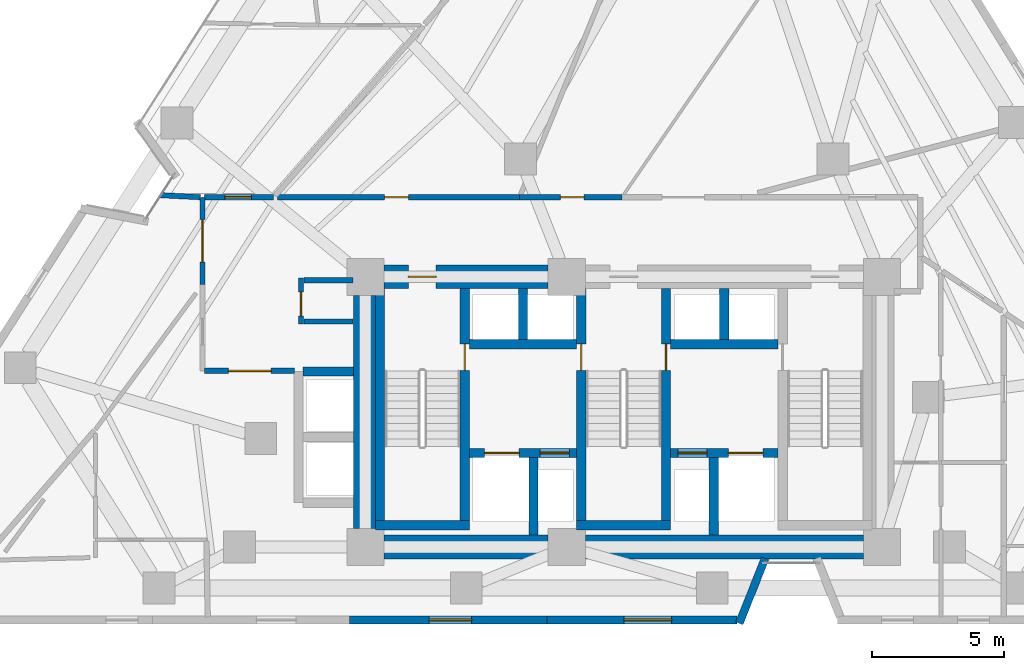
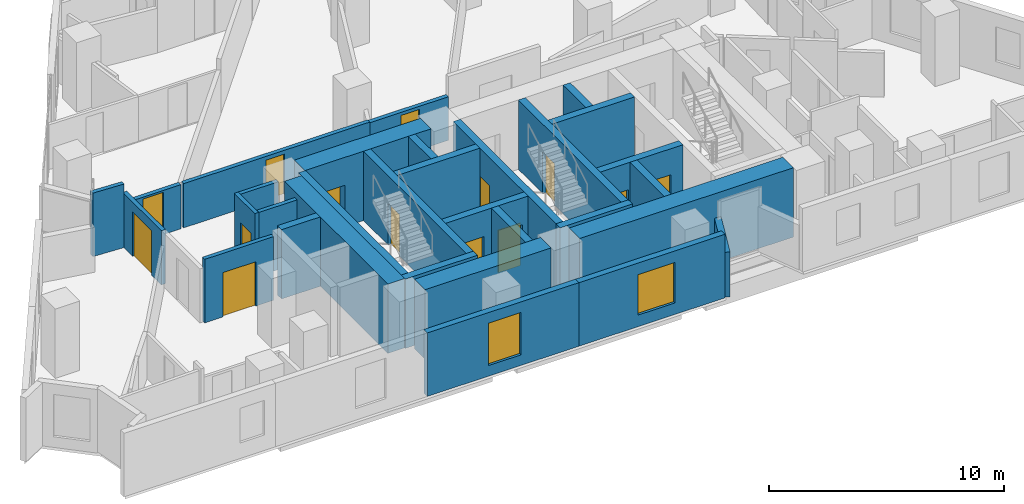
# One storey, part 7 of 13: 31 walls, 14 doors, 2 windows, 16 openings.
"""IFC4 building model written with IfcOpenShell, lengths in metres."""

import ifcopenshell
import ifcopenshell.guid

model = None  # the IFC model being written
_history = None  # IfcOwnerHistory: only IFC2X3 demands one
_inside = {}  # id of a spatial element -> (the spatial element, [elements in it])
_under = {}  # id of a project, library or spatial element -> (it, [spatial elements below it])
_declared = {}  # id of a project -> (the project, [libraries it declares])
_typed = {}  # id of a type object -> (the type object, [elements of that type])
_made_of = {}  # id of a material, layer set ... -> (it, [elements and type objects made of it])


def new_model(schema):
    """Start an empty IFC model of exactly this schema.

    Asked for "IFC4X3", IfcOpenShell would pick the latest addendum, in which some entities
    have other attributes; the version numbers below select the first issue.
    IFC2X3 requires an IfcOwnerHistory on every rooted entity: one is made here for all.
    """
    global model, _history
    if schema == "IFC4X3":
        model = ifcopenshell.file(schema_version=(4, 3, 0, 0))
    else:
        model = ifcopenshell.file(schema=schema)
    _inside.clear()
    _under.clear()
    _declared.clear()
    _typed.clear()
    _made_of.clear()
    _history = None
    if model.schema == "IFC2X3":
        org = make("IfcOrganization", Name="unknown")
        user = make(
            "IfcPersonAndOrganization",
            ThePerson=make("IfcPerson", FamilyName="unknown"),
            TheOrganization=org,
        )
        app = make(
            "IfcApplication",
            ApplicationDeveloper=org,
            Version="unknown",
            ApplicationFullName="unknown",
            ApplicationIdentifier="unknown",
        )
        _history = make(
            "IfcOwnerHistory",
            OwningUser=user,
            OwningApplication=app,
            ChangeAction="ADDED",
            CreationDate=0,
        )
    return model


def make(cls, **values):
    """One entity of the class cls with the attributes given. An attribute that is None is left unset."""
    return model.create_entity(
        cls, **{name: value for name, value in values.items() if value is not None}
    )


def rooted(cls, **values):
    """An entity with a GlobalId (a new one), such as an element, a storey or a relation."""
    return make(cls, GlobalId=ifcopenshell.guid.new(), OwnerHistory=_history, **values)


def si_unit(unit_type, name, prefix=None):
    """IfcSIUnit, for example si_unit("LENGTHUNIT", "METRE", prefix="MILLI")."""
    return make("IfcSIUnit", UnitType=unit_type, Prefix=prefix, Name=name)


def assignment(units):
    """IfcUnitAssignment: the units of a project."""
    return None if units is None else make("IfcUnitAssignment", Units=units)


def point(xyz):
    """IfcCartesianPoint."""
    return None if xyz is None else make("IfcCartesianPoint", Coordinates=xyz)


def direction(xyz):
    """IfcDirection."""
    return None if xyz is None else make("IfcDirection", DirectionRatios=xyz)


def frame(location, z_axis=None, x_axis=None):
    """IfcAxis2Placement3D, a coordinate frame: its origin and axes. An axis left out is left unset."""
    return make(
        "IfcAxis2Placement3D",
        Location=point(location),
        Axis=direction(z_axis),
        RefDirection=direction(x_axis),
    )


def frame_2d(location, x_axis=None):
    """IfcAxis2Placement2D, a coordinate frame in the plane: its origin and x axis."""
    return make(
        "IfcAxis2Placement2D", Location=point(location), RefDirection=direction(x_axis)
    )


def origin():
    """The frame at (0, 0, 0) with its axes left unset."""
    return frame((0.0, 0.0, 0.0))


def place(relative_to, where):
    """IfcLocalPlacement: puts the frame where relative to a parent placement (None: the world)."""
    return make(
        "IfcLocalPlacement", PlacementRelTo=relative_to, RelativePlacement=where
    )


def context(
    kind, dimensions, precision=None, world=None, true_north=None, identifier=None
):
    """IfcGeometricRepresentationContext, for example the 3D "Model" context."""
    return make(
        "IfcGeometricRepresentationContext",
        ContextIdentifier=identifier,
        ContextType=kind,
        CoordinateSpaceDimension=dimensions,
        Precision=precision,
        WorldCoordinateSystem=world,
        TrueNorth=true_north,
    )


def subcontext(parent, identifier, kind, view, scale=None):
    """IfcGeometricRepresentationSubContext, for example "Body" below "Model"."""
    return make(
        "IfcGeometricRepresentationSubContext",
        ContextIdentifier=identifier,
        ContextType=kind,
        ParentContext=parent,
        TargetScale=scale,
        TargetView=view,
    )


def project(units=None, contexts=None):
    """IfcProject with its units and contexts."""
    return rooted(
        "IfcProject",
        Name="project",
        RepresentationContexts=contexts,
        UnitsInContext=assignment(units),
    )


def spatial(cls, under=None, at=None, **own):
    """A site, building, storey or space (cls), placed at a placement, below another one or the project."""
    s = rooted(cls, ObjectPlacement=at, **own)
    if under is not None:
        _under.setdefault(under.id(), (under, []))[1].append(s)
    return s


def profile(cls, at=None, kind="AREA", **sizes):
    """A parametric profile (cls). Its sizes go by their IFC names, for example OverallWidth=200.0."""
    return make(cls, ProfileType=kind, Position=at, **sizes)


def rectangle(**sizes):
    """IfcRectangleProfileDef."""
    return profile("IfcRectangleProfileDef", **sizes)


def extrude(swept, where, along, depth):
    """IfcExtrudedAreaSolid: the profile swept, set in the frame where, extruded along a direction by depth."""
    return make(
        "IfcExtrudedAreaSolid",
        SweptArea=swept,
        Position=where,
        ExtrudedDirection=direction(along),
        Depth=depth,
    )


def shape(context_of_items, identifier, shape_type, items):
    """IfcShapeRepresentation: the items that make up one representation, for example the "Body"."""
    return make(
        "IfcShapeRepresentation",
        ContextOfItems=context_of_items,
        RepresentationIdentifier=identifier,
        RepresentationType=shape_type,
        Items=items,
    )


def material(Name=None, Category=None):
    """IfcMaterial."""
    return make("IfcMaterial", Name=Name, Category=Category)


def layer(
    of_material, thickness, ventilated=None, Name=None, Category=None, Priority=None
):
    """IfcMaterialLayer: one layer of a wall or slab, of a material (None: an air gap)."""
    return make(
        "IfcMaterialLayer",
        Material=of_material,
        LayerThickness=thickness,
        IsVentilated=ventilated,
        Name=Name,
        Category=Category,
        Priority=Priority,
    )


def layer_set(layers, Name=None):
    """IfcMaterialLayerSet."""
    return make("IfcMaterialLayerSet", MaterialLayers=layers, LayerSetName=Name)


def made_of(thing, what):
    """Note that an element or type object is made of a material, layer set ...; save() writes the relation."""
    if what is not None:
        _made_of.setdefault(what.id(), (what, []))[1].append(thing)
    return thing


def type_object(cls, material=None, **own):
    """A type object (cls), such as IfcWallType, which elements share."""
    return made_of(rooted(cls, **own), material)


def element(
    cls,
    number,
    at=None,
    inside=None,
    cuts=None,
    type_object=None,
    material=None,
    context=None,
    identifier="Body",
    shape_type=None,
    held_by="IfcProductDefinitionShape",
    body=None,
    shapes=None,
    **own,
):
    """One element of the class cls, such as IfcWall. Its Tag is "e" and its number.

    at: its placement. inside: the storey or other place that contains it. cuts: it is an
    opening in that element (IfcRelVoidsElement). A single representation is given by context,
    identifier, shape_type and body (its items); several are given by shapes. held_by: the class
    of the entity that holds the representations. save() writes the other relations.
    """
    e = rooted(cls, Tag="e%d" % number, ObjectPlacement=at, **own)
    if body is not None:
        shapes = [shape(context, identifier, shape_type, body)]
    if shapes is not None:
        e.Representation = make(held_by, Representations=shapes)
    if inside is not None:
        _inside.setdefault(inside.id(), (inside, []))[1].append(e)
    if cuts is not None:
        rooted(
            "IfcRelVoidsElement", RelatingBuildingElement=cuts, RelatedOpeningElement=e
        )
    if type_object is not None:
        _typed.setdefault(type_object.id(), (type_object, []))[1].append(e)
    return made_of(e, material)


def fill(opening, filler):
    """IfcRelFillsElement: the door or window that sits in an opening."""
    return rooted(
        "IfcRelFillsElement",
        RelatingOpeningElement=opening,
        RelatedBuildingElement=filler,
    )


def aggregate(whole, parts):
    """IfcRelAggregates: a whole, such as a stair, and the parts it consists of."""
    return rooted("IfcRelAggregates", RelatingObject=whole, RelatedObjects=parts)


def save(model, path):
    """Write the relations noted so far, then the file.

    IfcRelAggregates (storeys below a building ...), IfcRelContainedInSpatialStructure (elements
    in a storey), IfcRelDefinesByType, IfcRelAssociatesMaterial and IfcRelDeclares: one each for
    every whole, place, type object, material and project.
    """
    for whole, parts in _under.values():
        aggregate(whole, parts)
    for where, things in _inside.values():
        rooted(
            "IfcRelContainedInSpatialStructure",
            RelatedElements=things,
            RelatingStructure=where,
        )
    for kind, things in _typed.values():
        rooted("IfcRelDefinesByType", RelatedObjects=things, RelatingType=kind)
    for what, things in _made_of.values():
        rooted("IfcRelAssociatesMaterial", RelatedObjects=things, RelatingMaterial=what)
    for by, libraries in _declared.values():
        rooted("IfcRelDeclares", RelatingContext=by, RelatedDefinitions=libraries)
    model.write(path)


model = new_model("IFC4")

# Units and contexts
model_context = context("Model", 3, precision=1e-05, world=origin(), true_north=direction((0.0, 1.0)))
body_context = subcontext(model_context, "Body", "Model", "MODEL_VIEW")
ifc_project = project(units=[si_unit("LENGTHUNIT", "METRE"), si_unit("AREAUNIT", "SQUARE_METRE"), si_unit("VOLUMEUNIT", "CUBIC_METRE"), si_unit("PLANEANGLEUNIT", "RADIAN"), si_unit("MASSUNIT", "GRAM", prefix="KILO")], contexts=[model_context])

# Site, building, storey
site_placement = place(None, origin())
site = spatial("IfcSite", under=ifc_project, at=site_placement, CompositionType="ELEMENT")
building_placement = place(site_placement, origin())
building = spatial("IfcBuilding", under=site, at=building_placement, Name="Almagre Mirador Tower", CompositionType="ELEMENT")
storey_placement = place(building_placement, frame((0.0, 0.0, 96.60009765625)))
storey = spatial("IfcBuildingStorey", under=building, at=storey_placement, Name="L24", CompositionType="ELEMENT", Elevation=96.60009765625)

# Wall
ifc_material_1 = material(Name="Precast concrete C50/60", Category="concrete")
ifc_layer_1 = layer(ifc_material_1, 0.300048828125)
ifc_layer_set_1 = layer_set([ifc_layer_1], Name="Precast concrete C50/60")
wall_type_1 = type_object("IfcWallType", Name="WAL-EXT-300", PredefinedType="SOLIDWALL", material=ifc_layer_set_1)
wall_1_placement = place(storey_placement, frame((42.640380859375, 4.124755859375, 0.0), z_axis=(0.0, 0.0, 1.0), x_axis=(-0.369477840539, -0.929239541426, 0.0)))
element("IfcWall", 1, at=wall_1_placement, inside=storey, type_object=wall_type_1, Name="L24 expressed almagre precast frame wall 25", PredefinedType="SOLIDWALL", context=body_context, shape_type="SweptSolid", body=[
    extrude(rectangle(XDim=2.641845703125, YDim=0.300048828125, at=frame_2d((1.32080078125, 0.0))), origin(), (0.0, 0.0, 1.0), 2.324951171875),
])

# Wall, opening, window
wall_2_placement = place(storey_placement, frame((41.5810546875, 1.800048828125, 0.0), z_axis=(0.0, 0.0, 1.0), x_axis=(-1.0, 0.0, 0.0)))
wall_2 = element("IfcWall", 2, at=wall_2_placement, inside=storey, type_object=wall_type_1, Name="L24 expressed almagre precast frame wall 26", PredefinedType="SOLIDWALL", context=body_context, shape_type="SweptSolid", body=[
    extrude(rectangle(XDim=7.174072265625, YDim=0.300048828125, at=frame_2d((3.5869140625, 0.0))), origin(), (0.0, 0.0, 1.0), 3.2998046875),
])
opening_1_placement = place(wall_2_placement, frame((2.47509765625, 0.0, 0.60009765625)))
opening_1 = element("IfcOpeningElement", 3, at=opening_1_placement, cuts=wall_2, Name="Opening WN-01", PredefinedType="OPENING", context=body_context, shape_type="SweptSolid", body=[
    extrude(rectangle(XDim=1.800048828125, YDim=2.10009765625, at=frame_2d((0.89990234375, 1.050048828125))), frame((0.0, 0.159902, 0.0), z_axis=(0.0, -1.0, 0.0), x_axis=(1.0, 0.0, 0.0)), (0.0, 0.0, 1.0), 0.320049),
])
ifc_material_2 = material(Name="Dark solar-control laminated hurricane glass", Category="glass")
window_type_1 = type_object("IfcWindowType", Name="WIN-1800X2100", PartitioningType="DOUBLE_PANEL_VERTICAL", PredefinedType="WINDOW", material=ifc_material_2)
window_1_placement = place(opening_1_placement, origin())
window_1 = element("IfcWindow", 4, at=window_1_placement, inside=storey, type_object=window_type_1, Name="L24 recessed hurricane window L24-RST-B", OverallHeight=2.10009765625, OverallWidth=1.800048828125, PartitioningType="SINGLE_PANEL", PredefinedType="WINDOW", context=body_context, shape_type="SweptSolid", body=[
    extrude(rectangle(XDim=1.800048828125, YDim=2.10009765625, at=frame_2d((0.89990234375, 1.050048828125))), frame((0.0, 0.030029296875, 0.0), z_axis=(0.0, -1.0, 0.0), x_axis=(1.0, 0.0, 0.0)), (0.0, 0.0, 1.0), 0.06005859375),
])
fill(opening_1, window_1)

wall_3_placement = place(storey_placement, frame((34.406982421875, 1.800048828125, 0.0), z_axis=(0.0, 0.0, 1.0), x_axis=(-1.0, 0.0, 0.0)))
wall_3 = element("IfcWall", 5, at=wall_3_placement, inside=storey, type_object=wall_type_1, Name="L24 expressed almagre precast frame wall 27", PredefinedType="SOLIDWALL", context=body_context, shape_type="SweptSolid", body=[
    extrude(rectangle(XDim=7.448974609375, YDim=0.300048828125, at=frame_2d((3.724609375, 0.0))), origin(), (0.0, 0.0, 1.0), 3.2998046875),
])
opening_2_placement = place(wall_3_placement, frame((2.85009765625, 0.0, 0.550048828125)))
opening_2 = element("IfcOpeningElement", 6, at=opening_2_placement, cuts=wall_3, Name="Opening WN-06", PredefinedType="OPENING", context=body_context, shape_type="SweptSolid", body=[
    extrude(rectangle(XDim=1.60009765625, YDim=2.199951171875, at=frame_2d((0.800048828125, 1.10009765625))), frame((0.0, 0.159902, 0.0), z_axis=(0.0, -1.0, 0.0), x_axis=(1.0, 0.0, 0.0)), (0.0, 0.0, 1.0), 0.320049),
])
ifc_material_3 = material(Name="Dark solar-control laminated hurricane glass", Category="glass")
window_type_2 = type_object("IfcWindowType", Name="WIN-1600X2200", PartitioningType="DOUBLE_PANEL_VERTICAL", PredefinedType="WINDOW", material=ifc_material_3)
window_2_placement = place(opening_2_placement, origin())
window_2 = element("IfcWindow", 7, at=window_2_placement, inside=storey, type_object=window_type_2, Name="L24 recessed hurricane window L24-RST-B", OverallHeight=2.199951171875, OverallWidth=1.60009765625, PartitioningType="SINGLE_PANEL", PredefinedType="WINDOW", context=body_context, shape_type="SweptSolid", body=[
    extrude(rectangle(XDim=1.60009765625, YDim=2.199951171875, at=frame_2d((0.800048828125, 1.10009765625))), frame((0.0, 0.030029296875, 0.0), z_axis=(0.0, -1.0, 0.0), x_axis=(1.0, 0.0, 0.0)), (0.0, 0.0, 1.0), 0.06005859375),
])
fill(opening_2, window_2)

# Wall, opening, door
ifc_material_4 = material(Name="Gypsum acoustic stud partition", Category="other")
ifc_layer_2 = layer(ifc_material_4, 0.199951171875)
ifc_layer_set_2 = layer_set([ifc_layer_2], Name="Gypsum acoustic stud partition")
wall_type_2 = type_object("IfcWallType", Name="WAL-PRT-200-EI60", PredefinedType="PARTITIONING", material=ifc_layer_set_2)
wall_4_placement = place(storey_placement, frame((25.1201171875, 12.969970703125, 0.0), z_axis=(0.0, 0.0, 1.0), x_axis=(0.0, 1.0, 0.0)))
wall_4 = element("IfcWall", 8, at=wall_4_placement, inside=storey, type_object=wall_type_2, Name="L24 core ancillary west wall", PredefinedType="PARTITIONING", context=body_context, shape_type="SweptSolid", body=[
    extrude(rectangle(XDim=1.739990234375, YDim=0.199951171875, at=frame_2d((0.8701171875, 0.0))), origin(), (0.0, 0.0, 1.0), 3.2998046875),
])
opening_3_placement = place(wall_4_placement, frame((0.304931640625, 0.0, 0.0)))
opening_3 = element("IfcOpeningElement", 9, at=opening_3_placement, cuts=wall_4, Name="Opening ID-03", PredefinedType="OPENING", context=body_context, shape_type="SweptSolid", body=[
    extrude(rectangle(XDim=0.89990234375, YDim=2.10009765625, at=frame_2d((0.449951171875, 1.050048828125))), frame((0.0, 0.110098, 0.0), z_axis=(0.0, -1.0, 0.0), x_axis=(1.0, 0.0, 0.0)), (0.0, 0.0, 1.0), 0.219951),
])
ifc_material_5 = material(Name="Fire-rated hollow steel", Category="steel")
door_type_1 = type_object("IfcDoorType", Name="DOR-FD60-900X2100", OperationType="NOTDEFINED", PredefinedType="DOOR", material=ifc_material_5)
door_1_placement = place(opening_3_placement, origin())
door_1 = element("IfcDoor", 10, at=door_1_placement, inside=storey, type_object=door_type_1, Name="DR-0804 L24 core ancillary corridor door", OperationType="SINGLE_SWING_LEFT", OverallHeight=2.10009765625, OverallWidth=0.89990234375, PredefinedType="DOOR", context=body_context, shape_type="SweptSolid", body=[
    extrude(rectangle(XDim=0.89990234375, YDim=2.10009765625, at=frame_2d((0.449951171875, 1.050048828125))), frame((0.0, 0.02490234375, 0.0), z_axis=(0.0, -1.0, 0.0), x_axis=(1.0, 0.0, 0.0)), (0.0, 0.0, 1.0), 0.050048828125),
])
fill(opening_3, door_1)

# Walls
for number, where, z_axis, x_axis, name in (
    (11, (25.22509765625, 14.6201171875, 0.0), (0.0, 0.0, 1.0), (1.0, 0.0, 0.0), "L24 core ancillary north wall"),
    (12, (25.22509765625, 13.06005859375, 0.0), (0.0, 0.0, 1.0), (1.0, 0.0, 0.0), "L24 core ancillary south wall"),
):
    element("IfcWall", number, at=place(storey_placement, frame(where, z_axis=z_axis, x_axis=x_axis)), inside=storey, type_object=wall_type_2, Name=name, PredefinedType="PARTITIONING", context=body_context, shape_type="SweptSolid", body=[
        extrude(rectangle(XDim=1.85986328125, YDim=0.199951171875, at=frame_2d((0.929931640625, 0.0))), origin(), (0.0, 0.0, 1.0), 3.2998046875),
    ])

# Wall, opening, door
wall_5_placement = place(storey_placement, frame((21.485107421875, 11.199951171875, 0.0), z_axis=(0.0, 0.0, 1.0), x_axis=(1.0, 0.0, 0.0)))
wall_5 = element("IfcWall", 13, at=wall_5_placement, inside=storey, type_object=wall_type_2, Name="L24 interior partition 002", PredefinedType="PARTITIONING", context=body_context, shape_type="SweptSolid", body=[
    extrude(rectangle(XDim=3.384033203125, YDim=0.199951171875, at=frame_2d((1.69189453125, 0.0))), origin(), (0.0, 0.0, 1.0), 3.2998046875),
])
opening_4_placement = place(wall_5_placement, frame((0.905029296875, 0.0, 0.0)))
opening_4 = element("IfcOpeningElement", 14, at=opening_4_placement, cuts=wall_5, Name="Opening ID-05", PredefinedType="OPENING", context=body_context, shape_type="SweptSolid", body=[
    extrude(rectangle(XDim=1.60009765625, YDim=2.300048828125, at=frame_2d((0.800048828125, 1.14990234375))), frame((0.0, 0.110098, 0.0), z_axis=(0.0, -1.0, 0.0), x_axis=(1.0, 0.0, 0.0)), (0.0, 0.0, 1.0), 0.219951),
])
ifc_material_6 = material(Name="Fire-rated acoustic timber", Category="wood")
door_type_2 = type_object("IfcDoorType", Name="DOR-FD60-1600X2300", OperationType="DOUBLE_DOOR_SINGLE_SWING", PredefinedType="DOOR", material=ifc_material_6)
door_2_placement = place(opening_4_placement, origin())
door_2 = element("IfcDoor", 15, at=door_2_placement, inside=storey, type_object=door_type_2, Name="DR-0809 L24 interior door L24-RCOR to L24-RST-B", OperationType="DOUBLE_DOOR_SINGLE_SWING", OverallHeight=2.300048828125, OverallWidth=1.60009765625, PredefinedType="DOOR", context=body_context, shape_type="SweptSolid", body=[
    extrude(rectangle(XDim=1.60009765625, YDim=2.300048828125, at=frame_2d((0.800048828125, 1.14990234375))), frame((0.0, 0.02490234375, 0.0), z_axis=(0.0, -1.0, 0.0), x_axis=(1.0, 0.0, 0.0)), (0.0, 0.0, 1.0), 0.050048828125),
])
fill(opening_4, door_2)

wall_6_placement = place(storey_placement, frame((21.39990234375, 17.75, 0.0), z_axis=(0.0, 0.0, 1.0), x_axis=(0.0, -1.0, 0.0)))
wall_6 = element("IfcWall", 16, at=wall_6_placement, inside=storey, type_object=wall_type_2, Name="L24 interior partition 005", PredefinedType="PARTITIONING", context=body_context, shape_type="SweptSolid", body=[
    extrude(rectangle(XDim=3.2900390625, YDim=0.199951171875, at=frame_2d((1.64501953125, 0.0))), origin(), (0.0, 0.0, 1.0), 2.809814453125),
])
opening_5_placement = place(wall_6_placement, frame((0.844970703125, 0.0, 0.0)))
opening_5 = element("IfcOpeningElement", 17, at=opening_5_placement, cuts=wall_6, Name="Opening ID-05", PredefinedType="OPENING", context=body_context, shape_type="SweptSolid", body=[
    extrude(rectangle(XDim=1.60009765625, YDim=2.300048828125, at=frame_2d((0.800048828125, 1.14990234375))), frame((0.0, 0.110098, 0.0), z_axis=(0.0, -1.0, 0.0), x_axis=(1.0, 0.0, 0.0)), (0.0, 0.0, 1.0), 0.219951),
])
door_3_placement = place(opening_5_placement, origin())
door_3 = element("IfcDoor", 18, at=door_3_placement, inside=storey, type_object=door_type_2, Name="DR-0810 L24 interior door L24-RCOR to L24-RST-E", OperationType="DOUBLE_DOOR_SINGLE_SWING", OverallHeight=2.300048828125, OverallWidth=1.60009765625, PredefinedType="DOOR", context=body_context, shape_type="SweptSolid", body=[
    extrude(rectangle(XDim=1.60009765625, YDim=2.300048828125, at=frame_2d((0.800048828125, 1.14990234375))), frame((0.0, 0.02490234375, 0.0), z_axis=(0.0, -1.0, 0.0), x_axis=(1.0, 0.0, 0.0)), (0.0, 0.0, 1.0), 0.050048828125),
])
fill(opening_5, door_3)

wall_7_placement = place(storey_placement, frame((24.090087890625, 17.75, 0.0), z_axis=(0.0, 0.0, 1.0), x_axis=(-1.0, 0.0, 0.0)))
wall_7 = element("IfcWall", 19, at=wall_7_placement, inside=storey, type_object=wall_type_2, Name="L24 interior partition 008", PredefinedType="PARTITIONING", context=body_context, shape_type="SweptSolid", body=[
    extrude(rectangle(XDim=2.60498046875, YDim=0.199951171875, at=frame_2d((1.302490234375, 0.0))), origin(), (0.0, 0.0, 1.0), 2.294921875),
])
opening_6_placement = place(wall_7_placement, frame((0.844970703125, 0.0, 0.0)))
opening_6 = element("IfcOpeningElement", 20, at=opening_6_placement, cuts=wall_7, Name="Opening ID-01", PredefinedType="OPENING", context=body_context, shape_type="SweptSolid", body=[
    extrude(rectangle(XDim=1.0, YDim=2.199951171875, at=frame_2d((0.5, 1.10009765625))), frame((0.0, 0.110098, 0.0), z_axis=(0.0, -1.0, 0.0), x_axis=(1.0, 0.0, 0.0)), (0.0, 0.0, 1.0), 0.219951),
])
ifc_material_7 = material(Name="Fire-rated walnut timber", Category="wood")
door_type_3 = type_object("IfcDoorType", Name="DOR-FD60-1000X2200", OperationType="NOTDEFINED", PredefinedType="DOOR", material=ifc_material_7)
door_4_placement = place(opening_6_placement, origin())
door_4 = element("IfcDoor", 21, at=door_4_placement, inside=storey, type_object=door_type_3, Name="DR-0825 L24 interior door L24-RCOR to L24-UG-ST", OperationType="SINGLE_SWING_RIGHT", OverallHeight=2.199951171875, OverallWidth=1.0, PredefinedType="DOOR", context=body_context, shape_type="SweptSolid", body=[
    extrude(rectangle(XDim=1.0, YDim=2.199951171875, at=frame_2d((0.5, 1.10009765625))), frame((0.0, 0.02490234375, 0.0), z_axis=(0.0, -1.0, 0.0), x_axis=(1.0, 0.0, 0.0)), (0.0, 0.0, 1.0), 0.050048828125),
])
fill(opening_6, door_4)

wall_8_placement = place(storey_placement, frame((33.3701171875, 17.75, 0.0), z_axis=(0.0, 0.0, 1.0), x_axis=(-1.0, 0.0, 0.0)))
wall_8 = element("IfcWall", 22, at=wall_8_placement, inside=storey, type_object=wall_type_2, Name="L24 interior partition 009", PredefinedType="PARTITIONING", context=body_context, shape_type="SweptSolid", body=[
    extrude(rectangle(XDim=9.135009765625, YDim=0.199951171875, at=frame_2d((4.5673828125, 0.0))), origin(), (0.0, 0.0, 1.0), 2.294921875),
])
opening_7_placement = place(wall_8_placement, frame((4.18994140625, 0.0, 0.0)))
opening_7 = element("IfcOpeningElement", 23, at=opening_7_placement, cuts=wall_8, Name="Opening ID-03", PredefinedType="OPENING", context=body_context, shape_type="SweptSolid", body=[
    extrude(rectangle(XDim=0.89990234375, YDim=2.10009765625, at=frame_2d((0.449951171875, 1.050048828125))), frame((0.0, 0.110098, 0.0), z_axis=(0.0, -1.0, 0.0), x_axis=(1.0, 0.0, 0.0)), (0.0, 0.0, 1.0), 0.219951),
])
door_5_placement = place(opening_7_placement, origin())
door_5 = element("IfcDoor", 24, at=door_5_placement, inside=storey, type_object=door_type_1, Name="DR-0811 L24 interior door L24-RCOR to L24-RST-H", OperationType="SINGLE_SWING_RIGHT", OverallHeight=2.10009765625, OverallWidth=0.89990234375, PredefinedType="DOOR", context=body_context, shape_type="SweptSolid", body=[
    extrude(rectangle(XDim=0.89990234375, YDim=2.10009765625, at=frame_2d((0.449951171875, 1.050048828125))), frame((0.0, 0.02490234375, 0.0), z_axis=(0.0, -1.0, 0.0), x_axis=(1.0, 0.0, 0.0)), (0.0, 0.0, 1.0), 0.050048828125),
])
fill(opening_7, door_5)

wall_9_placement = place(storey_placement, frame((37.22998046875, 17.75, 0.0), z_axis=(0.0, 0.0, 1.0), x_axis=(-1.0, 0.0, 0.0)))
wall_9 = element("IfcWall", 25, at=wall_9_placement, inside=storey, type_object=wall_type_2, Name="L24 interior partition 011", PredefinedType="PARTITIONING", context=body_context, shape_type="SweptSolid", body=[
    extrude(rectangle(XDim=3.85986328125, YDim=0.199951171875, at=frame_2d((1.929931640625, 0.0))), origin(), (0.0, 0.0, 1.0), 2.2587890625),
])
opening_8_placement = place(wall_9_placement, frame((1.421630859375, 0.0, 0.0)))
opening_8 = element("IfcOpeningElement", 26, at=opening_8_placement, cuts=wall_9, Name="Opening ID-03", PredefinedType="OPENING", context=body_context, shape_type="SweptSolid", body=[
    extrude(rectangle(XDim=0.89990234375, YDim=2.10009765625, at=frame_2d((0.449951171875, 1.050048828125))), frame((0.0, 0.110098, 0.0), z_axis=(0.0, -1.0, 0.0), x_axis=(1.0, 0.0, 0.0)), (0.0, 0.0, 1.0), 0.219951),
])
door_6_placement = place(opening_8_placement, origin())
door_6 = element("IfcDoor", 27, at=door_6_placement, inside=storey, type_object=door_type_1, Name="DR-0813 L24 interior door L24-RCOR to L24-RST-L", OperationType="SINGLE_SWING_RIGHT", OverallHeight=2.10009765625, OverallWidth=0.89990234375, PredefinedType="DOOR", context=body_context, shape_type="SweptSolid", body=[
    extrude(rectangle(XDim=0.89990234375, YDim=2.10009765625, at=frame_2d((0.449951171875, 1.050048828125))), frame((0.0, 0.02490234375, 0.0), z_axis=(0.0, -1.0, 0.0), x_axis=(1.0, 0.0, 0.0)), (0.0, 0.0, 1.0), 0.050048828125),
])
fill(opening_8, door_6)

# Walls
wall_10_placement = place(storey_placement, frame((21.315185546875, 17.75439453125, 0.0), z_axis=(0.0, 0.0, 1.0), x_axis=(-0.998681222662, 0.05134019383, 0.0)))
element("IfcWall", 28, at=wall_10_placement, inside=storey, type_object=wall_type_2, Name="L24 interior partition 032", PredefinedType="PARTITIONING", context=body_context, shape_type="SweptSolid", body=[
    extrude(rectangle(XDim=1.4931640625, YDim=0.199951171875, at=frame_2d((0.74658203125, 0.0))), origin(), (0.0, 0.0, 1.0), 3.2998046875),
])
ifc_material_8 = material(Name="Concrete C60/75", Category="concrete")
ifc_layer_3 = layer(ifc_material_8, 0.35009765625)
ifc_layer_set_3 = layer_set([ifc_layer_3], Name="Concrete C60/75")
wall_type_3 = type_object("IfcWallType", Name="WAL-SHF-350", PredefinedType="SOLIDWALL", material=ifc_layer_set_3)
wall_11_placement = place(storey_placement, frame((28.10009765625, 5.199951171875, 0.0), z_axis=(0.0, 0.0, 1.0), x_axis=(0.0, 1.0, 0.0)))
element("IfcWall", 29, at=wall_11_placement, inside=storey, type_object=wall_type_3, Name="L24 shaft wall ST1-W", PredefinedType="SOLIDWALL", context=body_context, shape_type="SweptSolid", body=[
    extrude(rectangle(XDim=9.10009765625, YDim=0.35009765625, at=frame_2d((4.550048828125, 0.0))), origin(), (0.0, 0.0, 1.0), 3.599853515625),
])

# Wall, opening, door
wall_12_placement = place(storey_placement, frame((31.300048828125, 5.199951171875, 0.0), z_axis=(0.0, 0.0, 1.0), x_axis=(0.0, 1.0, 0.0)))
wall_12 = element("IfcWall", 30, at=wall_12_placement, inside=storey, type_object=wall_type_3, Name="L24 shaft wall ST1-E", PredefinedType="SOLIDWALL", context=body_context, shape_type="SweptSolid", body=[
    extrude(rectangle(XDim=9.10009765625, YDim=0.35009765625, at=frame_2d((4.550048828125, 0.0))), origin(), (0.0, 0.0, 1.0), 3.599853515625),
])
opening_9_placement = place(wall_12_placement, frame((6.02001953125, 0.0, 0.0)))
opening_9 = element("IfcOpeningElement", 31, at=opening_9_placement, cuts=wall_12, Name="Opening FD-01", PredefinedType="OPENING", context=body_context, shape_type="SweptSolid", body=[
    extrude(rectangle(XDim=1.0, YDim=2.14990234375, at=frame_2d((0.5, 1.074951171875))), frame((0.0, 0.185049, 0.0), z_axis=(0.0, -1.0, 0.0), x_axis=(1.0, 0.0, 0.0)), (0.0, 0.0, 1.0), 0.370098),
])
ifc_material_9 = material(Name="Fire-rated hollow steel", Category="steel")
door_type_4 = type_object("IfcDoorType", Name="DOR-FFL-1000X2150", OperationType="NOTDEFINED", PredefinedType="DOOR", material=ifc_material_9)
door_7_placement = place(opening_9_placement, origin())
door_7 = element("IfcDoor", 32, at=door_7_placement, inside=storey, type_object=door_type_4, Name="DR-0805 L24 FFL1-ST1 smokeproof door", OperationType="SINGLE_SWING_LEFT", OverallHeight=2.14990234375, OverallWidth=1.0, PredefinedType="DOOR", context=body_context, shape_type="SweptSolid", body=[
    extrude(rectangle(XDim=1.0, YDim=2.14990234375, at=frame_2d((0.5, 1.074951171875))), frame((0.0, 0.02490234375, 0.0), z_axis=(0.0, -1.0, 0.0), x_axis=(1.0, 0.0, 0.0)), (0.0, 0.0, 1.0), 0.050048828125),
])
fill(opening_9, door_7)

# Wall
wall_13_placement = place(storey_placement, frame((27.925048828125, 5.375, 0.0), z_axis=(0.0, 0.0, 1.0), x_axis=(1.0, 0.0, 0.0)))
element("IfcWall", 33, at=wall_13_placement, inside=storey, type_object=wall_type_3, Name="L24 shaft wall ST1-S", PredefinedType="SOLIDWALL", context=body_context, shape_type="SweptSolid", body=[
    extrude(rectangle(XDim=3.550048828125, YDim=0.35009765625, at=frame_2d((1.77490234375, 0.0))), origin(), (0.0, 0.0, 1.0), 3.599853515625),
])

# Wall, opening, door
wall_14_placement = place(storey_placement, frame((35.699951171875, 5.199951171875, 0.0), z_axis=(0.0, 0.0, 1.0), x_axis=(0.0, 1.0, 0.0)))
wall_14 = element("IfcWall", 34, at=wall_14_placement, inside=storey, type_object=wall_type_3, Name="L24 shaft wall ST2-W", PredefinedType="SOLIDWALL", context=body_context, shape_type="SweptSolid", body=[
    extrude(rectangle(XDim=9.10009765625, YDim=0.35009765625, at=frame_2d((4.550048828125, 0.0))), origin(), (0.0, 0.0, 1.0), 3.599853515625),
])
opening_10_placement = place(wall_14_placement, frame((6.02001953125, 0.0, 0.0)))
opening_10 = element("IfcOpeningElement", 35, at=opening_10_placement, cuts=wall_14, Name="Opening FD-01", PredefinedType="OPENING", context=body_context, shape_type="SweptSolid", body=[
    extrude(rectangle(XDim=1.0, YDim=2.14990234375, at=frame_2d((0.5, 1.074951171875))), frame((0.0, 0.185049, 0.0), z_axis=(0.0, -1.0, 0.0), x_axis=(1.0, 0.0, 0.0)), (0.0, 0.0, 1.0), 0.370098),
])
door_8_placement = place(opening_10_placement, origin())
door_8 = element("IfcDoor", 36, at=door_8_placement, inside=storey, type_object=door_type_4, Name="DR-0806 L24 FFL1-ST2 smokeproof door", OperationType="SINGLE_SWING_RIGHT", OverallHeight=2.14990234375, OverallWidth=1.0, PredefinedType="DOOR", context=body_context, shape_type="SweptSolid", body=[
    extrude(rectangle(XDim=1.0, YDim=2.14990234375, at=frame_2d((0.5, 1.074951171875))), frame((0.0, 0.02490234375, 0.0), z_axis=(0.0, -1.0, 0.0), x_axis=(1.0, 0.0, 0.0)), (0.0, 0.0, 1.0), 0.050048828125),
])
fill(opening_10, door_8)

wall_15_placement = place(storey_placement, frame((38.89990234375, 5.199951171875, 0.0), z_axis=(0.0, 0.0, 1.0), x_axis=(0.0, 1.0, 0.0)))
wall_15 = element("IfcWall", 37, at=wall_15_placement, inside=storey, type_object=wall_type_3, Name="L24 shaft wall ST2-E", PredefinedType="SOLIDWALL", context=body_context, shape_type="SweptSolid", body=[
    extrude(rectangle(XDim=9.10009765625, YDim=0.35009765625, at=frame_2d((4.550048828125, 0.0))), origin(), (0.0, 0.0, 1.0), 3.599853515625),
])
opening_11_placement = place(wall_15_placement, frame((6.02001953125, 0.0, 0.0)))
opening_11 = element("IfcOpeningElement", 38, at=opening_11_placement, cuts=wall_15, Name="Opening FD-01", PredefinedType="OPENING", context=body_context, shape_type="SweptSolid", body=[
    extrude(rectangle(XDim=1.0, YDim=2.14990234375, at=frame_2d((0.5, 1.074951171875))), frame((0.0, 0.185049, 0.0), z_axis=(0.0, -1.0, 0.0), x_axis=(1.0, 0.0, 0.0)), (0.0, 0.0, 1.0), 0.370098),
])
door_9_placement = place(opening_11_placement, origin())
door_9 = element("IfcDoor", 39, at=door_9_placement, inside=storey, type_object=door_type_4, Name="DR-0807 L24 FFL2-ST2 smokeproof door", OperationType="SINGLE_SWING_LEFT", OverallHeight=2.14990234375, OverallWidth=1.0, PredefinedType="DOOR", context=body_context, shape_type="SweptSolid", body=[
    extrude(rectangle(XDim=1.0, YDim=2.14990234375, at=frame_2d((0.5, 1.074951171875))), frame((0.0, 0.02490234375, 0.0), z_axis=(0.0, -1.0, 0.0), x_axis=(1.0, 0.0, 0.0)), (0.0, 0.0, 1.0), 0.050048828125),
])
fill(opening_11, door_9)

# Wall
wall_16_placement = place(storey_placement, frame((35.52490234375, 5.375, 0.0), z_axis=(0.0, 0.0, 1.0), x_axis=(1.0, 0.0, 0.0)))
element("IfcWall", 40, at=wall_16_placement, inside=storey, type_object=wall_type_3, Name="L24 shaft wall ST2-S", PredefinedType="SOLIDWALL", context=body_context, shape_type="SweptSolid", body=[
    extrude(rectangle(XDim=3.550048828125, YDim=0.35009765625, at=frame_2d((1.77490234375, 0.0))), origin(), (0.0, 0.0, 1.0), 3.599853515625),
])

# Wall, openings, doors
wall_17_placement = place(storey_placement, frame((31.47509765625, 8.10009765625, 0.0), z_axis=(0.0, 0.0, 1.0), x_axis=(1.0, 0.0, 0.0)))
wall_17 = element("IfcWall", 41, at=wall_17_placement, inside=storey, type_object=wall_type_3, Name="L24 shaft wall FSAE1-N", PredefinedType="SOLIDWALL", context=body_context, shape_type="SweptSolid", body=[
    extrude(rectangle(XDim=4.0498046875, YDim=0.35009765625, at=frame_2d((2.02490234375, 0.0))), origin(), (0.0, 0.0, 1.0), 3.599853515625),
])
opening_12_placement = place(wall_17_placement, frame((0.574951171875, 0.0, 0.0)))
opening_12 = element("IfcOpeningElement", 42, at=opening_12_placement, cuts=wall_17, Name="Opening LD-03", PredefinedType="OPENING", context=body_context, shape_type="SweptSolid", body=[
    extrude(rectangle(XDim=1.300048828125, YDim=2.25, at=frame_2d((0.64990234375, 1.125))), frame((0.0, 0.185049, 0.0), z_axis=(0.0, -1.0, 0.0), x_axis=(1.0, 0.0, 0.0)), (0.0, 0.0, 1.0), 0.370098),
])
opening_13_placement = place(wall_17_placement, frame((2.675048828125, 0.0, 0.0)))
opening_13 = element("IfcOpeningElement", 43, at=opening_13_placement, cuts=wall_17, Name="Opening LD-01", PredefinedType="OPENING", context=body_context, shape_type="SweptSolid", body=[
    extrude(rectangle(XDim=1.10009765625, YDim=2.199951171875, at=frame_2d((0.550048828125, 1.10009765625))), frame((0.0, 0.185049, 0.0), z_axis=(0.0, -1.0, 0.0), x_axis=(1.0, 0.0, 0.0)), (0.0, 0.0, 1.0), 0.370098),
])
ifc_material_10 = material(Name="Hollow stainless steel", Category="steel")
door_type_5 = type_object("IfcDoorType", Name="DOR-LD-1100X2200", OperationType="DOUBLE_DOOR_SLIDING", PredefinedType="DOOR", material=ifc_material_10)
door_10_placement = place(opening_13_placement, origin())
door_10 = element("IfcDoor", 44, at=door_10_placement, inside=storey, type_object=door_type_5, Name="DR-0840 L24 PL-L1 lift landing door", OperationType="DOUBLE_DOOR_SLIDING", OverallHeight=2.199951171875, OverallWidth=1.10009765625, PredefinedType="DOOR", context=body_context, shape_type="SweptSolid", body=[
    extrude(rectangle(XDim=1.10009765625, YDim=2.199951171875, at=frame_2d((0.550048828125, 1.10009765625))), frame((0.0, 0.02490234375, 0.0), z_axis=(0.0, -1.0, 0.0), x_axis=(1.0, 0.0, 0.0)), (0.0, 0.0, 1.0), 0.050048828125),
])
fill(opening_13, door_10)
ifc_material_11 = material(Name="Hollow stainless steel", Category="steel")
door_type_6 = type_object("IfcDoorType", Name="DOR-LD-1300X2250", OperationType="DOUBLE_DOOR_SLIDING", PredefinedType="DOOR", material=ifc_material_11)
door_11_placement = place(opening_12_placement, origin())
door_11 = element("IfcDoor", 45, at=door_11_placement, inside=storey, type_object=door_type_6, Name="DR-0838 L24 FSAE-1 lift landing door", OperationType="DOUBLE_DOOR_SLIDING", OverallHeight=2.25, OverallWidth=1.300048828125, PredefinedType="DOOR", context=body_context, shape_type="SweptSolid", body=[
    extrude(rectangle(XDim=1.300048828125, YDim=2.25, at=frame_2d((0.64990234375, 1.125))), frame((0.0, 0.02490234375, 0.0), z_axis=(0.0, -1.0, 0.0), x_axis=(1.0, 0.0, 0.0)), (0.0, 0.0, 1.0), 0.050048828125),
])
fill(opening_12, door_11)

wall_18_placement = place(storey_placement, frame((39.074951171875, 8.10009765625, 0.0), z_axis=(0.0, 0.0, 1.0), x_axis=(1.0, 0.0, 0.0)))
wall_18 = element("IfcWall", 46, at=wall_18_placement, inside=storey, type_object=wall_type_3, Name="L24 shaft wall FSAE2-N", PredefinedType="SOLIDWALL", context=body_context, shape_type="SweptSolid", body=[
    extrude(rectangle(XDim=4.050048828125, YDim=0.35009765625, at=frame_2d((2.02490234375, 0.0))), origin(), (0.0, 0.0, 1.0), 3.599853515625),
])
opening_14_placement = place(wall_18_placement, frame((2.175048828125, 0.0, 0.0)))
opening_14 = element("IfcOpeningElement", 47, at=opening_14_placement, cuts=wall_18, Name="Opening LD-03", PredefinedType="OPENING", context=body_context, shape_type="SweptSolid", body=[
    extrude(rectangle(XDim=1.300048828125, YDim=2.25, at=frame_2d((0.64990234375, 1.125))), frame((0.0, 0.185049, 0.0), z_axis=(0.0, -1.0, 0.0), x_axis=(1.0, 0.0, 0.0)), (0.0, 0.0, 1.0), 0.370098),
])
opening_15_placement = place(wall_18_placement, frame((0.27490234375, 0.0, 0.0)))
opening_15 = element("IfcOpeningElement", 48, at=opening_15_placement, cuts=wall_18, Name="Opening LD-01", PredefinedType="OPENING", context=body_context, shape_type="SweptSolid", body=[
    extrude(rectangle(XDim=1.10009765625, YDim=2.199951171875, at=frame_2d((0.550048828125, 1.10009765625))), frame((0.0, 0.185049, 0.0), z_axis=(0.0, -1.0, 0.0), x_axis=(1.0, 0.0, 0.0)), (0.0, 0.0, 1.0), 0.370098),
])
door_12_placement = place(opening_15_placement, origin())
door_12 = element("IfcDoor", 49, at=door_12_placement, inside=storey, type_object=door_type_5, Name="DR-0841 L24 PL-L2 lift landing door", OperationType="DOUBLE_DOOR_SLIDING", OverallHeight=2.199951171875, OverallWidth=1.10009765625, PredefinedType="DOOR", context=body_context, shape_type="SweptSolid", body=[
    extrude(rectangle(XDim=1.10009765625, YDim=2.199951171875, at=frame_2d((0.550048828125, 1.10009765625))), frame((0.0, 0.02490234375, 0.0), z_axis=(0.0, -1.0, 0.0), x_axis=(1.0, 0.0, 0.0)), (0.0, 0.0, 1.0), 0.050048828125),
])
fill(opening_15, door_12)
door_13_placement = place(opening_14_placement, origin())
door_13 = element("IfcDoor", 50, at=door_13_placement, inside=storey, type_object=door_type_6, Name="DR-0839 L24 FSAE-2 lift landing door", OperationType="DOUBLE_DOOR_SLIDING", OverallHeight=2.25, OverallWidth=1.300048828125, PredefinedType="DOOR", context=body_context, shape_type="SweptSolid", body=[
    extrude(rectangle(XDim=1.300048828125, YDim=2.25, at=frame_2d((0.64990234375, 1.125))), frame((0.0, 0.02490234375, 0.0), z_axis=(0.0, -1.0, 0.0), x_axis=(1.0, 0.0, 0.0)), (0.0, 0.0, 1.0), 0.050048828125),
])
fill(opening_14, door_13)

# Walls
for number, where, z_axis, x_axis, name in (
    (51, (33.89990234375, 5.0, 0.0), (0.0, 0.0, 1.0), (0.0, 1.0, 0.0), "L24 shaft wall FSAE1-E"),
    (52, (40.699951171875, 5.0, 0.0), (0.0, 0.0, 1.0), (0.0, 1.0, 0.0), "L24 shaft wall FSAE2-W"),
):
    element("IfcWall", number, at=place(storey_placement, frame(where, z_axis=z_axis, x_axis=x_axis)), inside=storey, type_object=wall_type_3, Name=name, PredefinedType="SOLIDWALL", context=body_context, shape_type="SweptSolid", body=[
        extrude(rectangle(XDim=2.925048828125, YDim=0.35009765625, at=frame_2d((1.46240234375, 0.0))), origin(), (0.0, 0.0, 1.0), 3.599853515625),
    ])
wall_19_placement = place(storey_placement, frame((31.47509765625, 12.199951171875, 0.0), z_axis=(0.0, 0.0, 1.0), x_axis=(1.0, 0.0, 0.0)))
element("IfcWall", 53, at=wall_19_placement, inside=storey, type_object=wall_type_3, Name="L24 shaft wall PLM-S", PredefinedType="SOLIDWALL", context=body_context, shape_type="SweptSolid", body=[
    extrude(rectangle(XDim=4.0498046875, YDim=0.35009765625, at=frame_2d((2.02490234375, 0.0))), origin(), (0.0, 0.0, 1.0), 3.599853515625),
])
wall_20_placement = place(storey_placement, frame((33.5, 12.375, 0.0), z_axis=(0.0, 0.0, 1.0), x_axis=(0.0, 1.0, 0.0)))
element("IfcWall", 54, at=wall_20_placement, inside=storey, type_object=wall_type_3, Name="L24 shaft wall PLM-M", PredefinedType="SOLIDWALL", context=body_context, shape_type="SweptSolid", body=[
    extrude(rectangle(XDim=1.925048828125, YDim=0.35009765625, at=frame_2d((0.96240234375, 0.0))), origin(), (0.0, 0.0, 1.0), 3.599853515625),
])
wall_21_placement = place(storey_placement, frame((39.074951171875, 12.199951171875, 0.0), z_axis=(0.0, 0.0, 1.0), x_axis=(1.0, 0.0, 0.0)))
element("IfcWall", 55, at=wall_21_placement, inside=storey, type_object=wall_type_3, Name="L24 shaft wall PLH-S", PredefinedType="SOLIDWALL", context=body_context, shape_type="SweptSolid", body=[
    extrude(rectangle(XDim=4.050048828125, YDim=0.35009765625, at=frame_2d((2.02490234375, 0.0))), origin(), (0.0, 0.0, 1.0), 3.599853515625),
])
wall_22_placement = place(storey_placement, frame((41.10009765625, 12.375, 0.0), z_axis=(0.0, 0.0, 1.0), x_axis=(0.0, 1.0, 0.0)))
element("IfcWall", 56, at=wall_22_placement, inside=storey, type_object=wall_type_3, Name="L24 shaft wall PLH-M", PredefinedType="SOLIDWALL", context=body_context, shape_type="SweptSolid", body=[
    extrude(rectangle(XDim=1.925048828125, YDim=0.35009765625, at=frame_2d((0.96240234375, 0.0))), origin(), (0.0, 0.0, 1.0), 3.599853515625),
])
wall_23_placement = place(storey_placement, frame((25.199951171875, 11.175048828125, 0.0), z_axis=(0.0, 0.0, 1.0), x_axis=(1.0, 0.0, 0.0)))
element("IfcWall", 57, at=wall_23_placement, inside=storey, type_object=wall_type_3, Name="L24 shaft wall OL-N", PredefinedType="SOLIDWALL", context=body_context, shape_type="SweptSolid", body=[
    extrude(rectangle(XDim=1.900146484375, YDim=0.35009765625, at=frame_2d((0.9501953125, 0.0))), origin(), (0.0, 0.0, 1.0), 3.599853515625),
])
ifc_material_12 = material(Name="Concrete C70/85", Category="concrete")
ifc_layer_4 = layer(ifc_material_12, 0.89990234375)
ifc_layer_set_4 = layer_set([ifc_layer_4], Name="Concrete C70/85")
wall_type_4 = type_object("IfcWallType", Name="WAL-SHR-900", PredefinedType="SHEAR", material=ifc_layer_set_4)
wall_24_placement = place(storey_placement, frame((28.25, 4.550048828125, 0.0), z_axis=(0.0, 0.0, 1.0), x_axis=(1.0, 0.0, 0.0)))
element("IfcWall", 58, at=wall_24_placement, inside=storey, type_object=wall_type_4, Name="L24 core shear wall S1", PredefinedType="SHEAR", context=body_context, shape_type="SweptSolid", body=[
    extrude(rectangle(XDim=6.199951171875, YDim=0.89990234375, at=frame_2d((3.10009765625, 0.0))), origin(), (0.0, 0.0, 1.0), 3.599853515625),
])
wall_25_placement = place(storey_placement, frame((35.85009765625, 4.550048828125, 0.0), z_axis=(0.0, 0.0, 1.0), x_axis=(1.0, 0.0, 0.0)))
element("IfcWall", 59, at=wall_25_placement, inside=storey, type_object=wall_type_4, Name="L24 core shear wall S2", PredefinedType="SHEAR", context=body_context, shape_type="SweptSolid", body=[
    extrude(rectangle(XDim=10.5, YDim=0.89990234375, at=frame_2d((5.25, 0.0))), origin(), (0.0, 0.0, 1.0), 3.599853515625),
])

# Wall, opening, door
wall_26_placement = place(storey_placement, frame((28.25, 14.75, 0.0), z_axis=(0.0, 0.0, 1.0), x_axis=(1.0, 0.0, 0.0)))
wall_26 = element("IfcWall", 60, at=wall_26_placement, inside=storey, type_object=wall_type_4, Name="L24 core shear wall N1", PredefinedType="SHEAR", context=body_context, shape_type="SweptSolid", body=[
    extrude(rectangle(XDim=6.199951171875, YDim=0.89990234375, at=frame_2d((3.10009765625, 0.0))), origin(), (0.0, 0.0, 1.0), 3.599853515625),
])
opening_16_placement = place(wall_26_placement, frame((0.925048828125, 0.0, 0.0)))
opening_16 = element("IfcOpeningElement", 61, at=opening_16_placement, cuts=wall_26, Name="Opening SD-01", PredefinedType="OPENING", context=body_context, shape_type="SweptSolid", body=[
    extrude(rectangle(XDim=1.050048828125, YDim=2.14990234375, at=frame_2d((0.52490234375, 1.074951171875))), frame((0.0, 0.459951, 0.0), z_axis=(0.0, -1.0, 0.0), x_axis=(1.0, 0.0, 0.0)), (0.0, 0.0, 1.0), 0.919902),
])
ifc_material_13 = material(Name="Fire-rated hollow steel", Category="steel")
door_type_7 = type_object("IfcDoorType", Name="DOR-ST-1050X2150", OperationType="NOTDEFINED", PredefinedType="DOOR", material=ifc_material_13)
door_14_placement = place(opening_16_placement, origin())
door_14 = element("IfcDoor", 62, at=door_14_placement, inside=storey, type_object=door_type_7, Name="DR-0842 L24 protected exit stair ST-1 door", OperationType="SINGLE_SWING_RIGHT", OverallHeight=2.14990234375, OverallWidth=1.050048828125, PredefinedType="DOOR", context=body_context, shape_type="SweptSolid", body=[
    extrude(rectangle(XDim=1.050048828125, YDim=2.14990234375, at=frame_2d((0.52490234375, 1.074951171875))), frame((0.0, 0.02490234375, 0.0), z_axis=(0.0, -1.0, 0.0), x_axis=(1.0, 0.0, 0.0)), (0.0, 0.0, 1.0), 0.050048828125),
])
fill(opening_16, door_14)

# Wall
wall_27_placement = place(storey_placement, frame((27.550048828125, 5.25, 0.0), z_axis=(0.0, 0.0, 1.0), x_axis=(0.0, 1.0, 0.0)))
element("IfcWall", 63, at=wall_27_placement, inside=storey, type_object=wall_type_4, Name="L24 core shear wall W1", PredefinedType="SHEAR", context=body_context, shape_type="SweptSolid", body=[
    extrude(rectangle(XDim=8.800048828125, YDim=0.89990234375, at=frame_2d((4.39990234375, 0.0))), origin(), (0.0, 0.0, 1.0), 3.599853515625),
])

save(model, "model.ifc")
